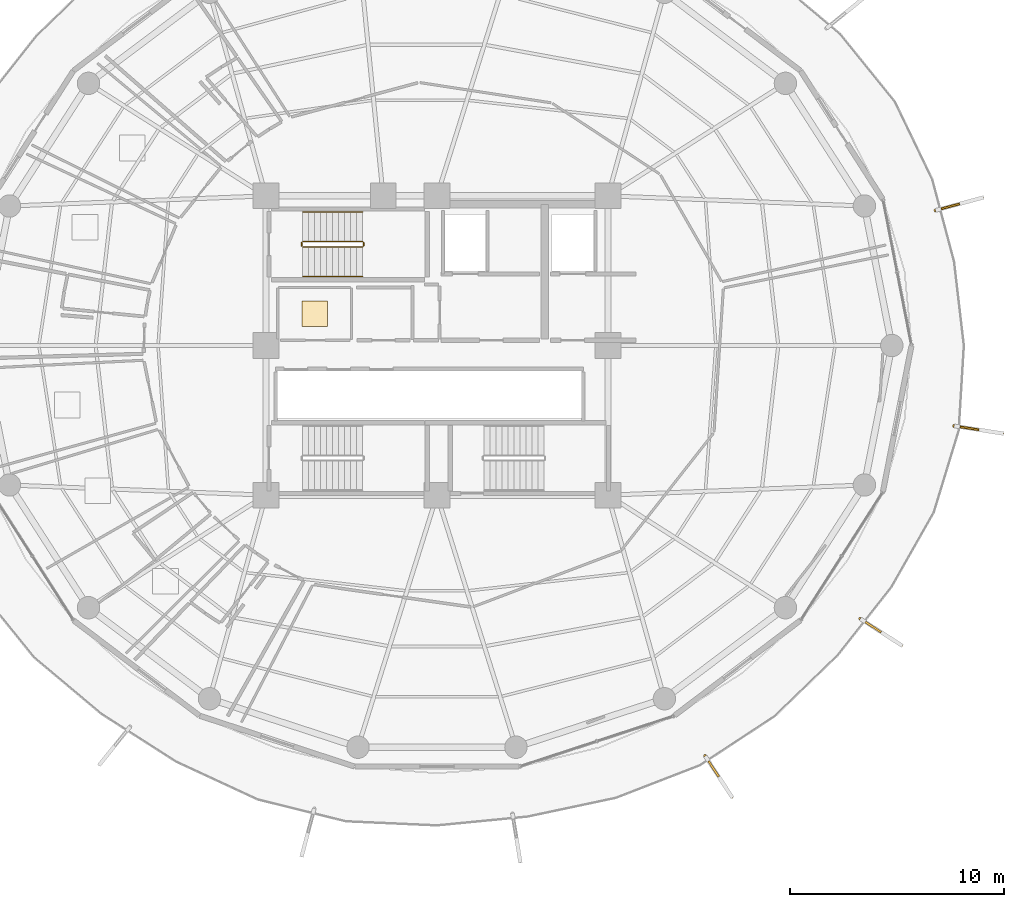
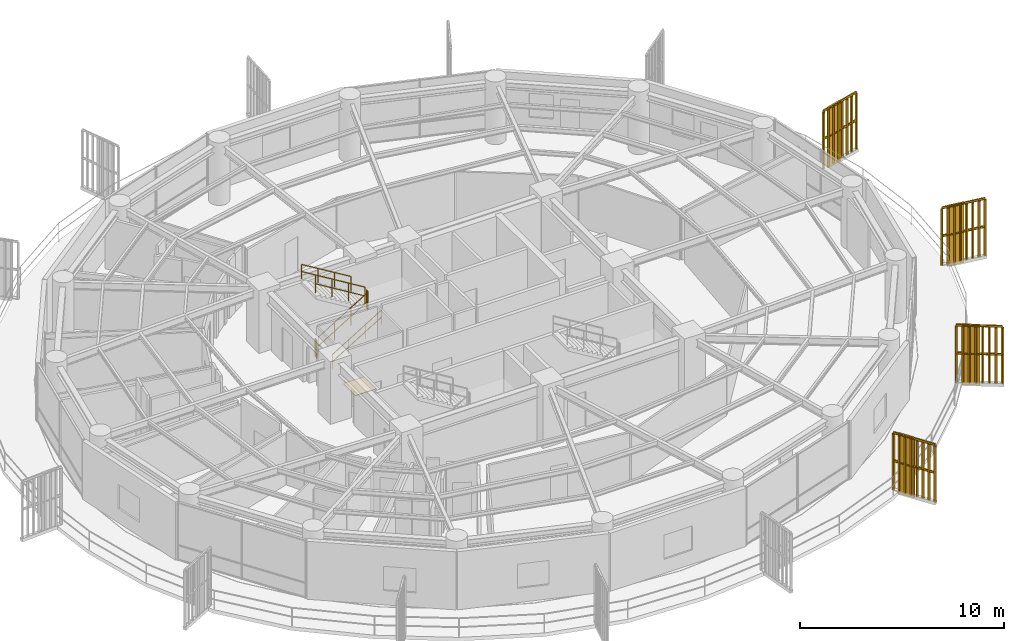
# One storey, part 30 of 31: 10 railings, 4 shading devices, 1 covering.
"""IFC4 building model written with IfcOpenShell, lengths in metres."""

from ifc_helpers import new_model, si_unit, direction, frame, origin, origin_2d, place, context, subcontext, project, spatial, polyline, rectangle, outline, extrude, source, transform, mapped, material, layer, layer_set, type_object, element, save


model = new_model("IFC4")

# Units and contexts
model_context = context("Model", 3, precision=1e-05, world=origin(), true_north=direction((0.0, 1.0)))
body_context = subcontext(model_context, "Body", "Model", "MODEL_VIEW")
ifc_project = project(units=[si_unit("LENGTHUNIT", "METRE"), si_unit("AREAUNIT", "SQUARE_METRE"), si_unit("VOLUMEUNIT", "CUBIC_METRE"), si_unit("PLANEANGLEUNIT", "RADIAN"), si_unit("MASSUNIT", "GRAM", prefix="KILO")], contexts=[model_context])

# Site, building, storey
site_placement = place(None, origin())
site = spatial("IfcSite", under=ifc_project, at=site_placement, CompositionType="ELEMENT")
building_placement = place(site_placement, origin())
building = spatial("IfcBuilding", under=site, at=building_placement, Name="Kelanora Arch Commons", CompositionType="ELEMENT")
storey_placement = place(building_placement, frame((0.0, 0.0, 196.949951171875)))
storey = spatial("IfcBuildingStorey", under=building, at=storey_placement, Name="L50", CompositionType="ELEMENT", Elevation=196.949951171875)

# Railings
ifc_material_1 = material(Name="Anodised bronze vertical shading fin rib assembly")
railing_type_1 = type_object("IfcRailingType", Name="RAIL-FIN-BRZ", PredefinedType="BALUSTRADE", material=ifc_material_1)
railing_1_placement = place(storey_placement, frame((93.805908203125, 45.2177734375, -0.02001953125)))
element("IfcRailing", 1, at=railing_1_placement, inside=storey, type_object=railing_type_1, Name="Sweeping Bronze Vertical Fin Blade L50-00", PredefinedType="BALUSTRADE", context=body_context, shape_type="SweptSolid", body=[
    extrude(outline(polyline([(0.06982421875, 0.0), (0.034912109375, 0.060546875), (-0.034912109375, 0.060546875), (-0.06982421875, 0.0), (-0.034912109375, -0.060546875), (0.034912109375, -0.060546875), (0.06982421875, 0.0)])), frame((0.0, 0.0, 3.419921875), z_axis=(0.840254105741, -0.542192804993, 0.0), x_axis=(0.542192804993, 0.840254105741, 0.0)), (0.0, 0.0, 1.0), 2.277099609375),
    extrude(outline(polyline([(0.06982421875, 0.0), (0.034912109375, 0.060546875), (-0.034912109375, 0.060546875), (-0.06982421875, 0.0), (-0.034912109375, -0.060546875), (0.034912109375, -0.060546875), (0.06982421875, 0.0)])), frame((0.0, 0.0, 1.7451171875), z_axis=(0.840254105741, -0.542192804993, 0.0), x_axis=(0.542192804993, 0.840254105741, 0.0)), (0.0, 0.0, 1.0), 2.277099609375),
    extrude(outline(polyline([(0.080078125, 0.0), (0.0400390625, 0.0693359375), (-0.0400390625, 0.0693359375), (-0.080078125, 0.0), (-0.0400390625, -0.0693359375), (0.0400390625, -0.0693359375), (0.080078125, 0.0)])), origin(), (0.0, 0.0, 1.0), 3.35009765625),
    extrude(outline(polyline([(0.080078125, 0.0), (0.0400390625, 0.0693359375), (-0.0400390625, 0.0693359375), (-0.080078125, 0.0), (-0.0400390625, -0.0693359375), (0.0400390625, -0.0693359375), (0.080078125, 0.0)])), frame((0.2734375, -0.17626953125, 0.0)), (0.0, 0.0, 1.0), 3.35009765625),
    extrude(outline(polyline([(0.080078125, 0.0), (0.0400390625, 0.0693359375), (-0.0400390625, 0.0693359375), (-0.080078125, 0.0), (-0.0400390625, -0.0693359375), (0.0400390625, -0.0693359375), (0.080078125, 0.0)])), frame((0.546630859375, -0.352783203125, 0.0)), (0.0, 0.0, 1.0), 3.35009765625),
    extrude(outline(polyline([(0.080078125, 0.0), (0.0400390625, 0.0693359375), (-0.0400390625, 0.0693359375), (-0.080078125, 0.0), (-0.0400390625, -0.0693359375), (0.0400390625, -0.0693359375), (0.080078125, 0.0)])), frame((0.820068359375, -0.529052734375, 0.0)), (0.0, 0.0, 1.0), 3.35009765625),
    extrude(outline(polyline([(0.080078125, 0.0), (0.0400390625, 0.0693359375), (-0.0400390625, 0.0693359375), (-0.080078125, 0.0), (-0.0400390625, -0.0693359375), (0.0400390625, -0.0693359375), (0.080078125, 0.0)])), frame((1.09326171875, -0.70556640625, 0.0)), (0.0, 0.0, 1.0), 3.35009765625),
    extrude(outline(polyline([(0.080078125, 0.0), (0.0400390625, 0.0693359375), (-0.0400390625, 0.0693359375), (-0.080078125, 0.0), (-0.0400390625, -0.0693359375), (0.0400390625, -0.0693359375), (0.080078125, 0.0)])), frame((1.36669921875, -0.8818359375, 0.0)), (0.0, 0.0, 1.0), 3.35009765625),
    extrude(outline(polyline([(0.080078125, 0.0), (0.0400390625, 0.0693359375), (-0.0400390625, 0.0693359375), (-0.080078125, 0.0), (-0.0400390625, -0.0693359375), (0.0400390625, -0.0693359375), (0.080078125, 0.0)])), frame((1.639892578125, -1.058349609375, 0.0)), (0.0, 0.0, 1.0), 3.35009765625),
    extrude(outline(polyline([(0.080078125, 0.0), (0.0400390625, 0.0693359375), (-0.0400390625, 0.0693359375), (-0.080078125, 0.0), (-0.0400390625, -0.0693359375), (0.0400390625, -0.0693359375), (0.080078125, 0.0)])), frame((1.913330078125, -1.234619140625, 0.0)), (0.0, 0.0, 1.0), 3.35009765625),
])
railing_2_placement = place(storey_placement, frame((98.1962890625, 54.23828125, -0.02001953125)))
element("IfcRailing", 2, at=railing_2_placement, inside=storey, type_object=railing_type_1, Name="Sweeping Bronze Vertical Fin Blade L50-01", PredefinedType="BALUSTRADE", context=body_context, shape_type="SweptSolid", body=[
    extrude(outline(polyline([(0.06982421875, 0.0), (0.034912109375, 0.060546875), (-0.034912109375, 0.060546875), (-0.06982421875, 0.0), (-0.034912109375, -0.060546875), (0.034912109375, -0.060546875), (0.06982421875, 0.0)])), frame((0.0, 0.0, 3.419921875), z_axis=(0.988126237599, -0.153644194713, 0.0), x_axis=(0.153644194713, 0.988126237599, 0.0)), (0.0, 0.0, 1.0), 2.277099609375),
    extrude(outline(polyline([(0.06982421875, 0.0), (0.034912109375, 0.060546875), (-0.034912109375, 0.060546875), (-0.06982421875, 0.0), (-0.034912109375, -0.060546875), (0.034912109375, -0.060546875), (0.06982421875, 0.0)])), frame((0.0, 0.0, 1.7451171875), z_axis=(0.988126237599, -0.153644194713, 0.0), x_axis=(0.153644194713, 0.988126237599, 0.0)), (0.0, 0.0, 1.0), 2.277099609375),
    extrude(outline(polyline([(0.080078125, 0.0), (0.0400390625, 0.0693359375), (-0.0400390625, 0.0693359375), (-0.080078125, 0.0), (-0.0400390625, -0.0693359375), (0.0400390625, -0.0693359375), (0.080078125, 0.0)])), origin(), (0.0, 0.0, 1.0), 3.35009765625),
    extrude(outline(polyline([(0.080078125, 0.0), (0.0400390625, 0.0693359375), (-0.0400390625, 0.0693359375), (-0.080078125, 0.0), (-0.0400390625, -0.0693359375), (0.0400390625, -0.0693359375), (0.080078125, 0.0)])), frame((0.321533203125, -0.050048828125, 0.0)), (0.0, 0.0, 1.0), 3.35009765625),
    extrude(outline(polyline([(0.080078125, 0.0), (0.0400390625, 0.0693359375), (-0.0400390625, 0.0693359375), (-0.080078125, 0.0), (-0.0400390625, -0.0693359375), (0.0400390625, -0.0693359375), (0.080078125, 0.0)])), frame((0.642822265625, -0.099853515625, 0.0)), (0.0, 0.0, 1.0), 3.35009765625),
    extrude(outline(polyline([(0.080078125, 0.0), (0.0400390625, 0.0693359375), (-0.0400390625, 0.0693359375), (-0.080078125, 0.0), (-0.0400390625, -0.0693359375), (0.0400390625, -0.0693359375), (0.080078125, 0.0)])), frame((0.96435546875, -0.14990234375, 0.0)), (0.0, 0.0, 1.0), 3.35009765625),
    extrude(outline(polyline([(0.080078125, 0.0), (0.0400390625, 0.0693359375), (-0.0400390625, 0.0693359375), (-0.080078125, 0.0), (-0.0400390625, -0.0693359375), (0.0400390625, -0.0693359375), (0.080078125, 0.0)])), frame((1.28564453125, -0.199951171875, 0.0)), (0.0, 0.0, 1.0), 3.35009765625),
    extrude(outline(polyline([(0.080078125, 0.0), (0.0400390625, 0.0693359375), (-0.0400390625, 0.0693359375), (-0.080078125, 0.0), (-0.0400390625, -0.0693359375), (0.0400390625, -0.0693359375), (0.080078125, 0.0)])), frame((1.607177734375, -0.25, 0.0)), (0.0, 0.0, 1.0), 3.35009765625),
    extrude(outline(polyline([(0.080078125, 0.0), (0.0400390625, 0.0693359375), (-0.0400390625, 0.0693359375), (-0.080078125, 0.0), (-0.0400390625, -0.0693359375), (0.0400390625, -0.0693359375), (0.080078125, 0.0)])), frame((1.928466796875, -0.2998046875, 0.0)), (0.0, 0.0, 1.0), 3.35009765625),
    extrude(outline(polyline([(0.080078125, 0.0), (0.0400390625, 0.0693359375), (-0.0400390625, 0.0693359375), (-0.080078125, 0.0), (-0.0400390625, -0.0693359375), (0.0400390625, -0.0693359375), (0.080078125, 0.0)])), frame((2.25, -0.349853515625, 0.0)), (0.0, 0.0, 1.0), 3.35009765625),
])
railing_3_placement = place(storey_placement, frame((97.322265625, 64.3203125, -0.02001953125)))
element("IfcRailing", 3, at=railing_3_placement, inside=storey, type_object=railing_type_1, Name="Sweeping Bronze Vertical Fin Blade L50-02", PredefinedType="BALUSTRADE", context=body_context, shape_type="SweptSolid", body=[
    extrude(outline(polyline([(0.06982421875, 0.0), (0.034912109375, 0.060546875), (-0.034912109375, 0.060546875), (-0.06982421875, 0.0), (-0.034912109375, -0.060546875), (0.034912109375, -0.060546875), (0.06982421875, 0.0)])), frame((0.0, 0.0, 3.419921875), z_axis=(0.965173371919, 0.261611089478, 0.0), x_axis=(-0.261611089478, 0.965173371919, 0.0)), (0.0, 0.0, 1.0), 2.277099609375),
    extrude(outline(polyline([(0.06982421875, 0.0), (0.034912109375, 0.060546875), (-0.034912109375, 0.060546875), (-0.06982421875, 0.0), (-0.034912109375, -0.060546875), (0.034912109375, -0.060546875), (0.06982421875, 0.0)])), frame((0.0, 0.0, 1.7451171875), z_axis=(0.965173371919, 0.261611089478, 0.0), x_axis=(-0.261611089478, 0.965173371919, 0.0)), (0.0, 0.0, 1.0), 2.277099609375),
    extrude(outline(polyline([(0.080078125, 0.0), (0.0400390625, 0.0693359375), (-0.0400390625, 0.0693359375), (-0.080078125, 0.0), (-0.0400390625, -0.0693359375), (0.0400390625, -0.0693359375), (0.080078125, 0.0)])), origin(), (0.0, 0.0, 1.0), 3.35009765625),
    extrude(outline(polyline([(0.080078125, 0.0), (0.0400390625, 0.0693359375), (-0.0400390625, 0.0693359375), (-0.080078125, 0.0), (-0.0400390625, -0.0693359375), (0.0400390625, -0.0693359375), (0.080078125, 0.0)])), frame((0.31396484375, 0.085205078125, 0.0)), (0.0, 0.0, 1.0), 3.35009765625),
    extrude(outline(polyline([(0.080078125, 0.0), (0.0400390625, 0.0693359375), (-0.0400390625, 0.0693359375), (-0.080078125, 0.0), (-0.0400390625, -0.0693359375), (0.0400390625, -0.0693359375), (0.080078125, 0.0)])), frame((0.6279296875, 0.170166015625, 0.0)), (0.0, 0.0, 1.0), 3.35009765625),
    extrude(outline(polyline([(0.080078125, 0.0), (0.0400390625, 0.0693359375), (-0.0400390625, 0.0693359375), (-0.080078125, 0.0), (-0.0400390625, -0.0693359375), (0.0400390625, -0.0693359375), (0.080078125, 0.0)])), frame((0.94189453125, 0.25537109375, 0.0)), (0.0, 0.0, 1.0), 3.35009765625),
    extrude(outline(polyline([(0.080078125, 0.0), (0.0400390625, 0.0693359375), (-0.0400390625, 0.0693359375), (-0.080078125, 0.0), (-0.0400390625, -0.0693359375), (0.0400390625, -0.0693359375), (0.080078125, 0.0)])), frame((1.255859375, 0.34033203125, 0.0)), (0.0, 0.0, 1.0), 3.35009765625),
    extrude(outline(polyline([(0.080078125, 0.0), (0.0400390625, 0.0693359375), (-0.0400390625, 0.0693359375), (-0.080078125, 0.0), (-0.0400390625, -0.0693359375), (0.0400390625, -0.0693359375), (0.080078125, 0.0)])), frame((1.56982421875, 0.425537109375, 0.0)), (0.0, 0.0, 1.0), 3.35009765625),
    extrude(outline(polyline([(0.080078125, 0.0), (0.0400390625, 0.0693359375), (-0.0400390625, 0.0693359375), (-0.080078125, 0.0), (-0.0400390625, -0.0693359375), (0.0400390625, -0.0693359375), (0.080078125, 0.0)])), frame((1.8837890625, 0.510498046875, 0.0)), (0.0, 0.0, 1.0), 3.35009765625),
    extrude(outline(polyline([(0.080078125, 0.0), (0.0400390625, 0.0693359375), (-0.0400390625, 0.0693359375), (-0.080078125, 0.0), (-0.0400390625, -0.0693359375), (0.0400390625, -0.0693359375), (0.080078125, 0.0)])), frame((2.19775390625, 0.595703125, 0.0)), (0.0, 0.0, 1.0), 3.35009765625),
])
railing_4_placement = place(storey_placement, frame((86.548828125, 38.79638671875, -0.02001953125)))
element("IfcRailing", 4, at=railing_4_placement, inside=storey, type_object=railing_type_1, Name="Sweeping Bronze Vertical Fin Blade L50-14", PredefinedType="BALUSTRADE", context=body_context, shape_type="SweptSolid", body=[
    extrude(outline(polyline([(0.06982421875, 0.0), (0.034912109375, 0.060546875), (-0.034912109375, 0.060546875), (-0.06982421875, 0.0), (-0.034912109375, -0.060546875), (0.034912109375, -0.060546875), (0.06982421875, 0.0)])), frame((0.0, 0.0, 3.419921875), z_axis=(0.547006691544, -0.83712823355, 0.0), x_axis=(0.83712823355, 0.547006691544, 0.0)), (0.0, 0.0, 1.0), 2.277099609375),
    extrude(outline(polyline([(0.06982421875, 0.0), (0.034912109375, 0.060546875), (-0.034912109375, 0.060546875), (-0.06982421875, 0.0), (-0.034912109375, -0.060546875), (0.034912109375, -0.060546875), (0.06982421875, 0.0)])), frame((0.0, 0.0, 1.7451171875), z_axis=(0.547006691544, -0.83712823355, 0.0), x_axis=(0.83712823355, 0.547006691544, 0.0)), (0.0, 0.0, 1.0), 2.277099609375),
    extrude(outline(polyline([(0.080078125, 0.0), (0.0400390625, 0.0693359375), (-0.0400390625, 0.0693359375), (-0.080078125, 0.0), (-0.0400390625, -0.0693359375), (0.0400390625, -0.0693359375), (0.080078125, 0.0)])), origin(), (0.0, 0.0, 1.0), 3.35009765625),
    extrude(outline(polyline([(0.080078125, 0.0), (0.0400390625, 0.0693359375), (-0.0400390625, 0.0693359375), (-0.080078125, 0.0), (-0.0400390625, -0.0693359375), (0.0400390625, -0.0693359375), (0.080078125, 0.0)])), frame((0.177978515625, -0.272216796875, 0.0)), (0.0, 0.0, 1.0), 3.35009765625),
    extrude(outline(polyline([(0.080078125, 0.0), (0.0400390625, 0.0693359375), (-0.0400390625, 0.0693359375), (-0.080078125, 0.0), (-0.0400390625, -0.0693359375), (0.0400390625, -0.0693359375), (0.080078125, 0.0)])), frame((0.35595703125, -0.544677734375, 0.0)), (0.0, 0.0, 1.0), 3.35009765625),
    extrude(outline(polyline([(0.080078125, 0.0), (0.0400390625, 0.0693359375), (-0.0400390625, 0.0693359375), (-0.080078125, 0.0), (-0.0400390625, -0.0693359375), (0.0400390625, -0.0693359375), (0.080078125, 0.0)])), frame((0.533935546875, -0.81689453125, 0.0)), (0.0, 0.0, 1.0), 3.35009765625),
    extrude(outline(polyline([(0.080078125, 0.0), (0.0400390625, 0.0693359375), (-0.0400390625, 0.0693359375), (-0.080078125, 0.0), (-0.0400390625, -0.0693359375), (0.0400390625, -0.0693359375), (0.080078125, 0.0)])), frame((0.711669921875, -1.08935546875, 0.0)), (0.0, 0.0, 1.0), 3.35009765625),
    extrude(outline(polyline([(0.080078125, 0.0), (0.0400390625, 0.0693359375), (-0.0400390625, 0.0693359375), (-0.080078125, 0.0), (-0.0400390625, -0.0693359375), (0.0400390625, -0.0693359375), (0.080078125, 0.0)])), frame((0.8896484375, -1.361572265625, 0.0)), (0.0, 0.0, 1.0), 3.35009765625),
    extrude(outline(polyline([(0.080078125, 0.0), (0.0400390625, 0.0693359375), (-0.0400390625, 0.0693359375), (-0.080078125, 0.0), (-0.0400390625, -0.0693359375), (0.0400390625, -0.0693359375), (0.080078125, 0.0)])), frame((1.067626953125, -1.634033203125, 0.0)), (0.0, 0.0, 1.0), 3.35009765625),
    extrude(outline(polyline([(0.080078125, 0.0), (0.0400390625, 0.0693359375), (-0.0400390625, 0.0693359375), (-0.080078125, 0.0), (-0.0400390625, -0.0693359375), (0.0400390625, -0.0693359375), (0.080078125, 0.0)])), frame((1.24560546875, -1.90625, 0.0)), (0.0, 0.0, 1.0), 3.35009765625),
])
ifc_material_2 = material(Name="Painted steel stair well guard", Category="steel")
railing_type_2 = type_object("IfcRailingType", Name="RAIL-STAIR-GRD", PredefinedType="GUARDRAIL", material=ifc_material_2)
railing_5_placement = place(storey_placement, frame((67.719970703125, 62.610107421875, 0.17041015625)))
element("IfcRailing", 5, at=railing_5_placement, inside=storey, type_object=railing_type_2, Name="L50 ST-T1 stair guard 1", PredefinedType="GUARDRAIL", context=body_context, shape_type="SweptSolid", body=[
    extrude(outline(polyline([(0.02392578125, 0.0), (0.011962890625, 0.020751953125), (-0.011962890625, 0.020751953125), (-0.02392578125, 0.0), (-0.011962890625, -0.020751953125), (0.011962890625, -0.020751953125), (0.02392578125, 0.0)])), frame((0.0, 0.0, 1.076171875), z_axis=(0.854169791009, 0.0, 0.51999420009), x_axis=(0.0, 1.0, 0.0)), (0.0, 0.0, 1.0), 3.278076171875),
    extrude(outline(polyline([(0.02392578125, 0.0), (0.011962890625, 0.020751953125), (-0.011962890625, 0.020751953125), (-0.02392578125, 0.0), (-0.011962890625, -0.020751953125), (0.011962890625, -0.020751953125), (0.02392578125, 0.0)])), frame((0.0, 0.0, 0.550048828125), z_axis=(0.854169791009, 0.0, 0.51999420009), x_axis=(0.0, 1.0, 0.0)), (0.0, 0.0, 1.0), 3.278076171875),
    extrude(outline(polyline([(0.02099609375, 0.0), (0.010498046875, 0.01806640625), (-0.010498046875, 0.01806640625), (-0.02099609375, 0.0), (-0.010498046875, -0.01806640625), (0.010498046875, -0.01806640625), (0.02099609375, 0.0)])), origin(), (0.0, 0.0, 1.0), 1.052001953125),
    extrude(outline(polyline([(0.02099609375, 0.0), (0.010498046875, 0.01806640625), (-0.010498046875, 0.01806640625), (-0.02099609375, 0.0), (-0.010498046875, -0.01806640625), (0.010498046875, -0.01806640625), (0.02099609375, 0.0)])), frame((0.933349609375, 0.0, 0.568115234375)), (0.0, 0.0, 1.0), 1.052001953125),
    extrude(outline(polyline([(0.02099609375, 0.0), (0.010498046875, 0.01806640625), (-0.010498046875, 0.01806640625), (-0.02099609375, 0.0), (-0.010498046875, -0.01806640625), (0.010498046875, -0.01806640625), (0.02099609375, 0.0)])), frame((1.86669921875, 0.0, 1.136474609375)), (0.0, 0.0, 1.0), 1.052001953125),
    extrude(outline(polyline([(0.02099609375, 0.0), (0.010498046875, 0.01806640625), (-0.010498046875, 0.01806640625), (-0.02099609375, 0.0), (-0.010498046875, -0.01806640625), (0.010498046875, -0.01806640625), (0.02099609375, 0.0)])), frame((2.800048828125, 0.0, 1.70458984375)), (0.0, 0.0, 1.0), 1.052001953125),
])
railing_6_placement = place(storey_placement, frame((70.570068359375, 62.659912109375, 1.875)))
element("IfcRailing", 6, at=railing_6_placement, inside=storey, type_object=railing_type_2, Name="L50 ST-T1 stair guard 2", PredefinedType="GUARDRAIL", context=body_context, shape_type="SweptSolid", body=[
    extrude(outline(polyline([(0.02392578125, 0.0), (0.011962890625, 0.020751953125), (-0.011962890625, 0.020751953125), (-0.02392578125, 0.0), (-0.011962890625, -0.020751953125), (0.011962890625, -0.020751953125), (0.02392578125, 0.0)])), frame((0.0, 0.0, 1.076171875), z_axis=(0.0, 1.0, 0.0), x_axis=(-1.0, 0.0, 0.0)), (0.0, 0.0, 1.0), 0.150146484375),
    extrude(outline(polyline([(0.02392578125, 0.0), (0.011962890625, 0.020751953125), (-0.011962890625, 0.020751953125), (-0.02392578125, 0.0), (-0.011962890625, -0.020751953125), (0.011962890625, -0.020751953125), (0.02392578125, 0.0)])), frame((0.0, 0.0, 0.550048828125), z_axis=(0.0, 1.0, 0.0), x_axis=(-1.0, 0.0, 0.0)), (0.0, 0.0, 1.0), 0.150146484375),
    extrude(outline(polyline([(0.02099609375, 0.0), (0.010498046875, 0.01806640625), (-0.010498046875, 0.01806640625), (-0.02099609375, 0.0), (-0.010498046875, -0.01806640625), (0.010498046875, -0.01806640625), (0.02099609375, 0.0)])), origin(), (0.0, 0.0, 1.0), 1.052001953125),
    extrude(outline(polyline([(0.02099609375, 0.0), (0.010498046875, 0.01806640625), (-0.010498046875, 0.01806640625), (-0.02099609375, 0.0), (-0.010498046875, -0.01806640625), (0.010498046875, -0.01806640625), (0.02099609375, 0.0)])), frame((0.0, 0.150146484375, 0.0)), (0.0, 0.0, 1.0), 1.052001953125),
])
railing_7_placement = place(storey_placement, frame((70.52001953125, 62.860107421875, 2.04541015625)))
element("IfcRailing", 7, at=railing_7_placement, inside=storey, type_object=railing_type_2, Name="L50 ST-T1 stair guard 3", PredefinedType="GUARDRAIL", context=body_context, shape_type="SweptSolid", body=[
    extrude(outline(polyline([(0.02392578125, 0.0), (0.011962890625, 0.020751953125), (-0.011962890625, 0.020751953125), (-0.02392578125, 0.0), (-0.011962890625, -0.020751953125), (0.011962890625, -0.020751953125), (0.02392578125, 0.0)])), frame((0.0, 0.0, 1.076171875), z_axis=(-0.854169791009, 0.0, 0.51999420009), x_axis=(0.0, -1.0, 0.0)), (0.0, 0.0, 1.0), 3.278076171875),
    extrude(outline(polyline([(0.02392578125, 0.0), (0.011962890625, 0.020751953125), (-0.011962890625, 0.020751953125), (-0.02392578125, 0.0), (-0.011962890625, -0.020751953125), (0.011962890625, -0.020751953125), (0.02392578125, 0.0)])), frame((0.0, 0.0, 0.550048828125), z_axis=(-0.854169791009, 0.0, 0.51999420009), x_axis=(0.0, -1.0, 0.0)), (0.0, 0.0, 1.0), 3.278076171875),
    extrude(outline(polyline([(0.02099609375, 0.0), (0.010498046875, 0.01806640625), (-0.010498046875, 0.01806640625), (-0.02099609375, 0.0), (-0.010498046875, -0.01806640625), (0.010498046875, -0.01806640625), (0.02099609375, 0.0)])), origin(), (0.0, 0.0, 1.0), 1.052001953125),
    extrude(outline(polyline([(0.02099609375, 0.0), (0.010498046875, 0.01806640625), (-0.010498046875, 0.01806640625), (-0.02099609375, 0.0), (-0.010498046875, -0.01806640625), (0.010498046875, -0.01806640625), (0.02099609375, 0.0)])), frame((-0.933349609375, 0.0, 0.568115234375)), (0.0, 0.0, 1.0), 1.052001953125),
    extrude(outline(polyline([(0.02099609375, 0.0), (0.010498046875, 0.01806640625), (-0.010498046875, 0.01806640625), (-0.02099609375, 0.0), (-0.010498046875, -0.01806640625), (0.010498046875, -0.01806640625), (0.02099609375, 0.0)])), frame((-1.86669921875, 0.0, 1.136474609375)), (0.0, 0.0, 1.0), 1.052001953125),
    extrude(outline(polyline([(0.02099609375, 0.0), (0.010498046875, 0.01806640625), (-0.010498046875, 0.01806640625), (-0.02099609375, 0.0), (-0.010498046875, -0.01806640625), (0.010498046875, -0.01806640625), (0.02099609375, 0.0)])), frame((-2.800048828125, 0.0, 1.70458984375)), (0.0, 0.0, 1.0), 1.052001953125),
])
railing_8_placement = place(storey_placement, frame((67.669921875, 62.659912109375, 0.0)))
element("IfcRailing", 8, at=railing_8_placement, inside=storey, type_object=railing_type_2, Name="L50 ST-T1 stair guard 4", PredefinedType="GUARDRAIL", context=body_context, shape_type="SweptSolid", body=[
    extrude(outline(polyline([(0.02392578125, 0.0), (0.011962890625, 0.020751953125), (-0.011962890625, 0.020751953125), (-0.02392578125, 0.0), (-0.011962890625, -0.020751953125), (0.011962890625, -0.020751953125), (0.02392578125, 0.0)])), frame((0.0, 0.0, 1.076171875), z_axis=(0.0, 1.0, 0.0), x_axis=(-1.0, 0.0, 0.0)), (0.0, 0.0, 1.0), 0.150146484375),
    extrude(outline(polyline([(0.02392578125, 0.0), (0.011962890625, 0.020751953125), (-0.011962890625, 0.020751953125), (-0.02392578125, 0.0), (-0.011962890625, -0.020751953125), (0.011962890625, -0.020751953125), (0.02392578125, 0.0)])), frame((0.0, 0.0, 0.550048828125), z_axis=(0.0, 1.0, 0.0), x_axis=(-1.0, 0.0, 0.0)), (0.0, 0.0, 1.0), 0.150146484375),
    extrude(outline(polyline([(0.02099609375, 0.0), (0.010498046875, 0.01806640625), (-0.010498046875, 0.01806640625), (-0.02099609375, 0.0), (-0.010498046875, -0.01806640625), (0.010498046875, -0.01806640625), (0.02099609375, 0.0)])), origin(), (0.0, 0.0, 1.0), 1.052001953125),
    extrude(outline(polyline([(0.02099609375, 0.0), (0.010498046875, 0.01806640625), (-0.010498046875, 0.01806640625), (-0.02099609375, 0.0), (-0.010498046875, -0.01806640625), (0.010498046875, -0.01806640625), (0.02099609375, 0.0)])), frame((0.0, 0.150146484375, 0.0)), (0.0, 0.0, 1.0), 1.052001953125),
])
ifc_material_3 = material(Name="Brushed stainless steel stair handrail", Category="steel")
railing_type_3 = type_object("IfcRailingType", Name="RAIL-STAIR-HND", PredefinedType="HANDRAIL", material=ifc_material_3)
railing_9_placement = place(storey_placement, frame((67.719970703125, 61.22998046875, 0.17041015625)))
element("IfcRailing", 9, at=railing_9_placement, inside=storey, type_object=railing_type_3, Name="L50 ST-T1 stair handrail 1", PredefinedType="HANDRAIL", context=body_context, shape_type="SweptSolid", body=[
    extrude(outline(polyline([(0.02392578125, 0.0), (0.011962890625, 0.020751953125), (-0.011962890625, 0.020751953125), (-0.02392578125, 0.0), (-0.011962890625, -0.020751953125), (0.011962890625, -0.020751953125), (0.02392578125, 0.0)])), frame((0.0, 0.0, 0.8759765625), z_axis=(0.854169791009, 0.0, 0.51999420009), x_axis=(0.0, 1.0, 0.0)), (0.0, 0.0, 1.0), 3.278076171875),
    extrude(outline(polyline([(0.02392578125, 0.0), (0.011962890625, 0.020751953125), (-0.011962890625, 0.020751953125), (-0.02392578125, 0.0), (-0.011962890625, -0.020751953125), (0.011962890625, -0.020751953125), (0.02392578125, 0.0)])), frame((0.0, 0.0, 0.449951171875), z_axis=(0.854169791009, 0.0, 0.51999420009), x_axis=(0.0, 1.0, 0.0)), (0.0, 0.0, 1.0), 3.278076171875),
    extrude(outline(polyline([(0.02099609375, 0.0), (0.010498046875, 0.01806640625), (-0.010498046875, 0.01806640625), (-0.02099609375, 0.0), (-0.010498046875, -0.01806640625), (0.010498046875, -0.01806640625), (0.02099609375, 0.0)])), origin(), (0.0, 0.0, 1.0), 0.851806640625),
    extrude(outline(polyline([(0.02099609375, 0.0), (0.010498046875, 0.01806640625), (-0.010498046875, 0.01806640625), (-0.02099609375, 0.0), (-0.010498046875, -0.01806640625), (0.010498046875, -0.01806640625), (0.02099609375, 0.0)])), frame((0.933349609375, 0.0, 0.568115234375)), (0.0, 0.0, 1.0), 0.851806640625),
    extrude(outline(polyline([(0.02099609375, 0.0), (0.010498046875, 0.01806640625), (-0.010498046875, 0.01806640625), (-0.02099609375, 0.0), (-0.010498046875, -0.01806640625), (0.010498046875, -0.01806640625), (0.02099609375, 0.0)])), frame((1.86669921875, 0.0, 1.136474609375)), (0.0, 0.0, 1.0), 0.851806640625),
    extrude(outline(polyline([(0.02099609375, 0.0), (0.010498046875, 0.01806640625), (-0.010498046875, 0.01806640625), (-0.02099609375, 0.0), (-0.010498046875, -0.01806640625), (0.010498046875, -0.01806640625), (0.02099609375, 0.0)])), frame((2.800048828125, 0.0, 1.70458984375)), (0.0, 0.0, 1.0), 0.851806640625),
])
railing_10_placement = place(storey_placement, frame((70.52001953125, 64.239990234375, 2.04541015625)))
element("IfcRailing", 10, at=railing_10_placement, inside=storey, type_object=railing_type_3, Name="L50 ST-T1 stair handrail 2", PredefinedType="HANDRAIL", context=body_context, shape_type="SweptSolid", body=[
    extrude(outline(polyline([(0.02392578125, 0.0), (0.011962890625, 0.020751953125), (-0.011962890625, 0.020751953125), (-0.02392578125, 0.0), (-0.011962890625, -0.020751953125), (0.011962890625, -0.020751953125), (0.02392578125, 0.0)])), frame((0.0, 0.0, 0.8759765625), z_axis=(-0.854169791009, 0.0, 0.51999420009), x_axis=(0.0, -1.0, 0.0)), (0.0, 0.0, 1.0), 3.278076171875),
    extrude(outline(polyline([(0.02392578125, 0.0), (0.011962890625, 0.020751953125), (-0.011962890625, 0.020751953125), (-0.02392578125, 0.0), (-0.011962890625, -0.020751953125), (0.011962890625, -0.020751953125), (0.02392578125, 0.0)])), frame((0.0, 0.0, 0.449951171875), z_axis=(-0.854169791009, 0.0, 0.51999420009), x_axis=(0.0, -1.0, 0.0)), (0.0, 0.0, 1.0), 3.278076171875),
    extrude(outline(polyline([(0.02099609375, 0.0), (0.010498046875, 0.01806640625), (-0.010498046875, 0.01806640625), (-0.02099609375, 0.0), (-0.010498046875, -0.01806640625), (0.010498046875, -0.01806640625), (0.02099609375, 0.0)])), origin(), (0.0, 0.0, 1.0), 0.851806640625),
    extrude(outline(polyline([(0.02099609375, 0.0), (0.010498046875, 0.01806640625), (-0.010498046875, 0.01806640625), (-0.02099609375, 0.0), (-0.010498046875, -0.01806640625), (0.010498046875, -0.01806640625), (0.02099609375, 0.0)])), frame((-0.933349609375, 0.0, 0.568115234375)), (0.0, 0.0, 1.0), 0.851806640625),
    extrude(outline(polyline([(0.02099609375, 0.0), (0.010498046875, 0.01806640625), (-0.010498046875, 0.01806640625), (-0.02099609375, 0.0), (-0.010498046875, -0.01806640625), (0.010498046875, -0.01806640625), (0.02099609375, 0.0)])), frame((-1.86669921875, 0.0, 1.136474609375)), (0.0, 0.0, 1.0), 0.851806640625),
    extrude(outline(polyline([(0.02099609375, 0.0), (0.010498046875, 0.01806640625), (-0.010498046875, 0.01806640625), (-0.02099609375, 0.0), (-0.010498046875, -0.01806640625), (0.010498046875, -0.01806640625), (0.02099609375, 0.0)])), frame((-2.800048828125, 0.0, 1.70458984375)), (0.0, 0.0, 1.0), 0.851806640625),
])

# Shading devices
ifc_material_4 = material(Name="Terracotta ceramic-clad extruded aluminium fin", Category="masonry")
shading_device_type = type_object("IfcShadingDeviceType", Name="SHD-FIN-FLARE", PredefinedType="USERDEFINED", material=ifc_material_4)
shared_shape_1 = source(origin(), body_context, "Body", "SweptSolid", [
    extrude(rectangle(XDim=0.8798828125, YDim=0.090087890625, at=origin_2d()), origin(), (0.0, 0.0, 1.0), 3.610107421875),
])
for number, where, z_axis, x_axis, name in (
    (11, (94.410888671875, 44.827392578125, -0.14013671875), (0.0, 0.0, 1.0), (0.840188215011, -0.542294904417, 0.0), "Sweeping Terracotta Fin L50-00"),
    (12, (98.90771484375, 54.127685546875, -0.14013671875), (0.0, 0.0, 1.0), (0.988121336368, -0.153675712507, 0.0), "Sweeping Terracotta Fin L50-01"),
    (13, (98.01708984375, 64.5087890625, -0.14013671875), (0.0, 0.0, 1.0), (0.965199301866, 0.261515406195, 0.0), "Sweeping Terracotta Fin L50-02"),
    (14, (86.942626953125, 38.193603515625, -0.14013671875), (0.0, 0.0, 1.0), (0.546978918409, -0.837146380758, 0.0), "Sweeping Terracotta Fin L50-14"),
):
    element("IfcShadingDevice", number, at=place(storey_placement, frame(where, z_axis=z_axis, x_axis=x_axis)), inside=storey, type_object=shading_device_type, Name=name, ObjectType="FIN", PredefinedType="USERDEFINED", context=body_context, shape_type="MappedRepresentation", body=[
        mapped(shared_shape_1, transform((0.0, 0.0, 0.0), scale=1.0)),
    ])

# Covering
ifc_material_5 = material(Name="Polished local granite terrazzo flooring", Category="masonry")
ifc_layer = layer(ifc_material_5, 0.030029296875)
ifc_layer_set = layer_set([ifc_layer], Name="Polished local granite terrazzo flooring")
covering_type = type_object("IfcCoveringType", Name="COV-FLR-TER", PredefinedType="FLOORING", material=ifc_layer_set)
shared_shape_2 = source(origin(), body_context, "Body", "SweptSolid", [
    extrude(rectangle(XDim=1.199951171875, YDim=1.199951171875, at=origin_2d()), origin(), (0.0, 0.0, 1.0), 0.030029296875),
])
covering_placement = place(storey_placement, frame((68.27490234375, 59.485107421875, 0.0), z_axis=(0.0, 0.0, 1.0), x_axis=(1.0, 0.0, 0.0)))
element("IfcCovering", 15, at=covering_placement, inside=storey, type_object=covering_type, Name="Reclaimed Core Quiet Phone Booths L50 Terrazzo Finish", PredefinedType="FLOORING", context=body_context, shape_type="MappedRepresentation", body=[
    mapped(shared_shape_2, transform((0.0, 0.0, 0.0), scale=1.0)),
])

save(model, "model.ifc")
